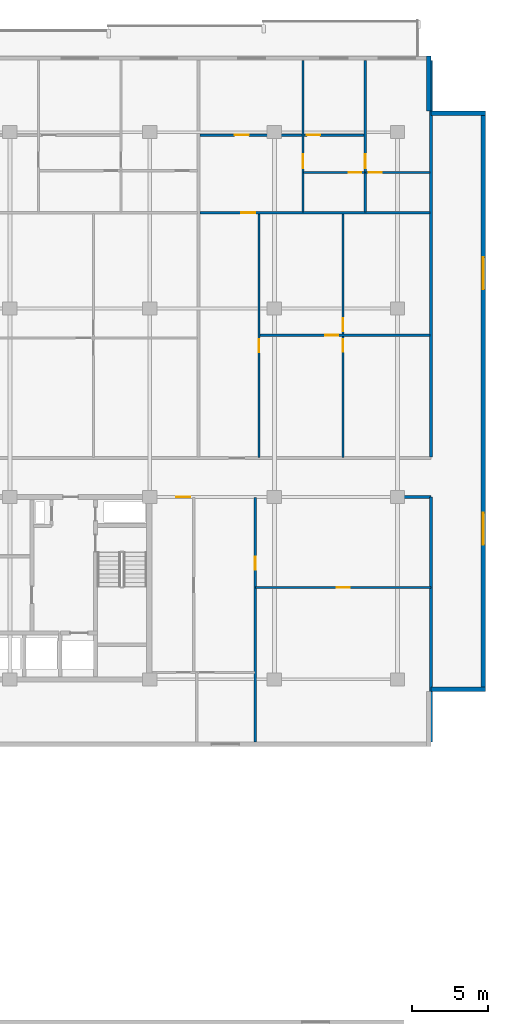
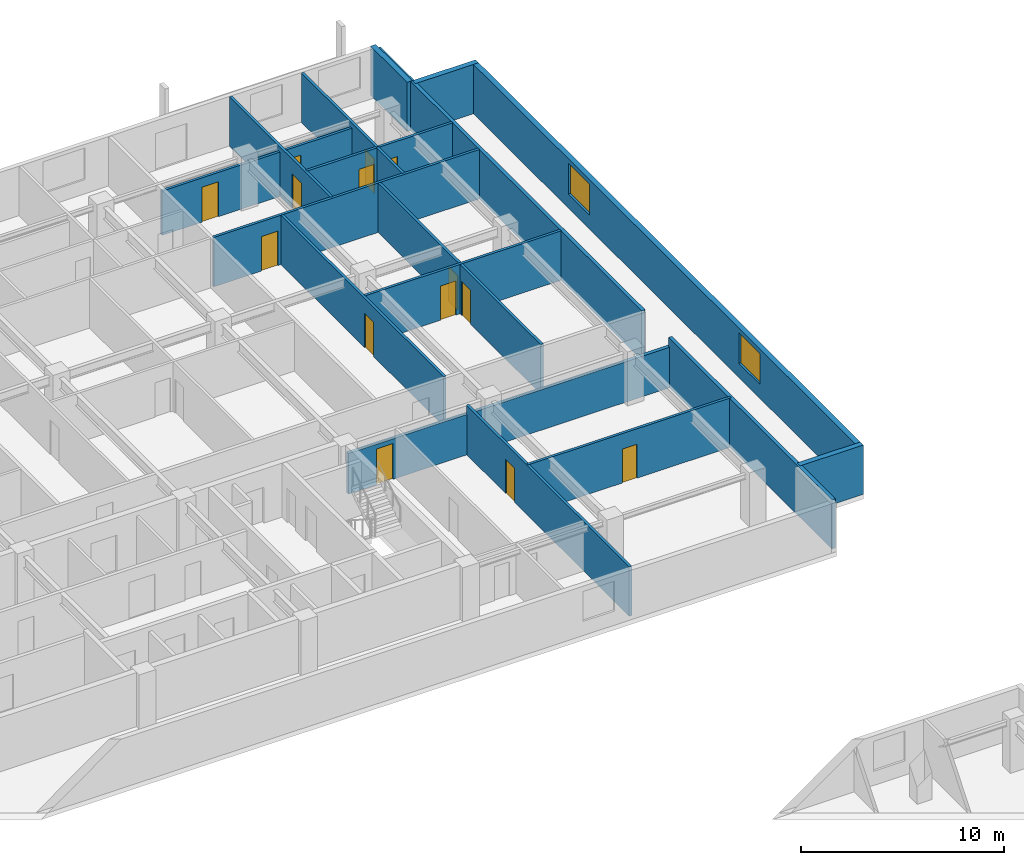
# One storey, part 15 of 21: 18 walls, 14 doors, 2 windows, 16 openings.
"""IFC4 building model written with IfcOpenShell, lengths in metres."""

import ifcopenshell
import ifcopenshell.guid

model = None  # the IFC model being written
_history = None  # IfcOwnerHistory: only IFC2X3 demands one
_inside = {}  # id of a spatial element -> (the spatial element, [elements in it])
_under = {}  # id of a project, library or spatial element -> (it, [spatial elements below it])
_declared = {}  # id of a project -> (the project, [libraries it declares])
_typed = {}  # id of a type object -> (the type object, [elements of that type])
_made_of = {}  # id of a material, layer set ... -> (it, [elements and type objects made of it])


def new_model(schema):
    """Start an empty IFC model of exactly this schema.

    Asked for "IFC4X3", IfcOpenShell would pick the latest addendum, in which some entities
    have other attributes; the version numbers below select the first issue.
    IFC2X3 requires an IfcOwnerHistory on every rooted entity: one is made here for all.
    """
    global model, _history
    if schema == "IFC4X3":
        model = ifcopenshell.file(schema_version=(4, 3, 0, 0))
    else:
        model = ifcopenshell.file(schema=schema)
    _inside.clear()
    _under.clear()
    _declared.clear()
    _typed.clear()
    _made_of.clear()
    _history = None
    if model.schema == "IFC2X3":
        org = make("IfcOrganization", Name="unknown")
        user = make(
            "IfcPersonAndOrganization",
            ThePerson=make("IfcPerson", FamilyName="unknown"),
            TheOrganization=org,
        )
        app = make(
            "IfcApplication",
            ApplicationDeveloper=org,
            Version="unknown",
            ApplicationFullName="unknown",
            ApplicationIdentifier="unknown",
        )
        _history = make(
            "IfcOwnerHistory",
            OwningUser=user,
            OwningApplication=app,
            ChangeAction="ADDED",
            CreationDate=0,
        )
    return model


def make(cls, **values):
    """One entity of the class cls with the attributes given. An attribute that is None is left unset."""
    return model.create_entity(
        cls, **{name: value for name, value in values.items() if value is not None}
    )


def rooted(cls, **values):
    """An entity with a GlobalId (a new one), such as an element, a storey or a relation."""
    return make(cls, GlobalId=ifcopenshell.guid.new(), OwnerHistory=_history, **values)


def si_unit(unit_type, name, prefix=None):
    """IfcSIUnit, for example si_unit("LENGTHUNIT", "METRE", prefix="MILLI")."""
    return make("IfcSIUnit", UnitType=unit_type, Prefix=prefix, Name=name)


def assignment(units):
    """IfcUnitAssignment: the units of a project."""
    return None if units is None else make("IfcUnitAssignment", Units=units)


def point(xyz):
    """IfcCartesianPoint."""
    return None if xyz is None else make("IfcCartesianPoint", Coordinates=xyz)


def direction(xyz):
    """IfcDirection."""
    return None if xyz is None else make("IfcDirection", DirectionRatios=xyz)


def frame(location, z_axis=None, x_axis=None):
    """IfcAxis2Placement3D, a coordinate frame: its origin and axes. An axis left out is left unset."""
    return make(
        "IfcAxis2Placement3D",
        Location=point(location),
        Axis=direction(z_axis),
        RefDirection=direction(x_axis),
    )


def frame_2d(location, x_axis=None):
    """IfcAxis2Placement2D, a coordinate frame in the plane: its origin and x axis."""
    return make(
        "IfcAxis2Placement2D", Location=point(location), RefDirection=direction(x_axis)
    )


def origin():
    """The frame at (0, 0, 0) with its axes left unset."""
    return frame((0.0, 0.0, 0.0))


def place(relative_to, where):
    """IfcLocalPlacement: puts the frame where relative to a parent placement (None: the world)."""
    return make(
        "IfcLocalPlacement", PlacementRelTo=relative_to, RelativePlacement=where
    )


def context(
    kind, dimensions, precision=None, world=None, true_north=None, identifier=None
):
    """IfcGeometricRepresentationContext, for example the 3D "Model" context."""
    return make(
        "IfcGeometricRepresentationContext",
        ContextIdentifier=identifier,
        ContextType=kind,
        CoordinateSpaceDimension=dimensions,
        Precision=precision,
        WorldCoordinateSystem=world,
        TrueNorth=true_north,
    )


def subcontext(parent, identifier, kind, view, scale=None):
    """IfcGeometricRepresentationSubContext, for example "Body" below "Model"."""
    return make(
        "IfcGeometricRepresentationSubContext",
        ContextIdentifier=identifier,
        ContextType=kind,
        ParentContext=parent,
        TargetScale=scale,
        TargetView=view,
    )


def project(units=None, contexts=None):
    """IfcProject with its units and contexts."""
    return rooted(
        "IfcProject",
        Name="project",
        RepresentationContexts=contexts,
        UnitsInContext=assignment(units),
    )


def spatial(cls, under=None, at=None, **own):
    """A site, building, storey or space (cls), placed at a placement, below another one or the project."""
    s = rooted(cls, ObjectPlacement=at, **own)
    if under is not None:
        _under.setdefault(under.id(), (under, []))[1].append(s)
    return s


def profile(cls, at=None, kind="AREA", **sizes):
    """A parametric profile (cls). Its sizes go by their IFC names, for example OverallWidth=200.0."""
    return make(cls, ProfileType=kind, Position=at, **sizes)


def rectangle(**sizes):
    """IfcRectangleProfileDef."""
    return profile("IfcRectangleProfileDef", **sizes)


def extrude(swept, where, along, depth):
    """IfcExtrudedAreaSolid: the profile swept, set in the frame where, extruded along a direction by depth."""
    return make(
        "IfcExtrudedAreaSolid",
        SweptArea=swept,
        Position=where,
        ExtrudedDirection=direction(along),
        Depth=depth,
    )


def shape(context_of_items, identifier, shape_type, items):
    """IfcShapeRepresentation: the items that make up one representation, for example the "Body"."""
    return make(
        "IfcShapeRepresentation",
        ContextOfItems=context_of_items,
        RepresentationIdentifier=identifier,
        RepresentationType=shape_type,
        Items=items,
    )


def material(Name=None, Category=None):
    """IfcMaterial."""
    return make("IfcMaterial", Name=Name, Category=Category)


def layer(
    of_material, thickness, ventilated=None, Name=None, Category=None, Priority=None
):
    """IfcMaterialLayer: one layer of a wall or slab, of a material (None: an air gap)."""
    return make(
        "IfcMaterialLayer",
        Material=of_material,
        LayerThickness=thickness,
        IsVentilated=ventilated,
        Name=Name,
        Category=Category,
        Priority=Priority,
    )


def layer_set(layers, Name=None):
    """IfcMaterialLayerSet."""
    return make("IfcMaterialLayerSet", MaterialLayers=layers, LayerSetName=Name)


def made_of(thing, what):
    """Note that an element or type object is made of a material, layer set ...; save() writes the relation."""
    if what is not None:
        _made_of.setdefault(what.id(), (what, []))[1].append(thing)
    return thing


def type_object(cls, material=None, **own):
    """A type object (cls), such as IfcWallType, which elements share."""
    return made_of(rooted(cls, **own), material)


def element(
    cls,
    number,
    at=None,
    inside=None,
    cuts=None,
    type_object=None,
    material=None,
    context=None,
    identifier="Body",
    shape_type=None,
    held_by="IfcProductDefinitionShape",
    body=None,
    shapes=None,
    **own,
):
    """One element of the class cls, such as IfcWall. Its Tag is "e" and its number.

    at: its placement. inside: the storey or other place that contains it. cuts: it is an
    opening in that element (IfcRelVoidsElement). A single representation is given by context,
    identifier, shape_type and body (its items); several are given by shapes. held_by: the class
    of the entity that holds the representations. save() writes the other relations.
    """
    e = rooted(cls, Tag="e%d" % number, ObjectPlacement=at, **own)
    if body is not None:
        shapes = [shape(context, identifier, shape_type, body)]
    if shapes is not None:
        e.Representation = make(held_by, Representations=shapes)
    if inside is not None:
        _inside.setdefault(inside.id(), (inside, []))[1].append(e)
    if cuts is not None:
        rooted(
            "IfcRelVoidsElement", RelatingBuildingElement=cuts, RelatedOpeningElement=e
        )
    if type_object is not None:
        _typed.setdefault(type_object.id(), (type_object, []))[1].append(e)
    return made_of(e, material)


def fill(opening, filler):
    """IfcRelFillsElement: the door or window that sits in an opening."""
    return rooted(
        "IfcRelFillsElement",
        RelatingOpeningElement=opening,
        RelatedBuildingElement=filler,
    )


def aggregate(whole, parts):
    """IfcRelAggregates: a whole, such as a stair, and the parts it consists of."""
    return rooted("IfcRelAggregates", RelatingObject=whole, RelatedObjects=parts)


def save(model, path):
    """Write the relations noted so far, then the file.

    IfcRelAggregates (storeys below a building ...), IfcRelContainedInSpatialStructure (elements
    in a storey), IfcRelDefinesByType, IfcRelAssociatesMaterial and IfcRelDeclares: one each for
    every whole, place, type object, material and project.
    """
    for whole, parts in _under.values():
        aggregate(whole, parts)
    for where, things in _inside.values():
        rooted(
            "IfcRelContainedInSpatialStructure",
            RelatedElements=things,
            RelatingStructure=where,
        )
    for kind, things in _typed.values():
        rooted("IfcRelDefinesByType", RelatedObjects=things, RelatingType=kind)
    for what, things in _made_of.values():
        rooted("IfcRelAssociatesMaterial", RelatedObjects=things, RelatingMaterial=what)
    for by, libraries in _declared.values():
        rooted("IfcRelDeclares", RelatingContext=by, RelatedDefinitions=libraries)
    model.write(path)


model = new_model("IFC4")

# Units and contexts
model_context = context("Model", 3, precision=1e-05, world=origin(), true_north=direction((0.0, 1.0)))
body_context = subcontext(model_context, "Body", "Model", "MODEL_VIEW")
ifc_project = project(units=[si_unit("LENGTHUNIT", "METRE"), si_unit("AREAUNIT", "SQUARE_METRE"), si_unit("VOLUMEUNIT", "CUBIC_METRE"), si_unit("PLANEANGLEUNIT", "RADIAN"), si_unit("MASSUNIT", "GRAM", prefix="KILO")], contexts=[model_context])

# Site, building, storey
site_placement = place(None, origin())
site = spatial("IfcSite", under=ifc_project, at=site_placement, CompositionType="ELEMENT")
building_placement = place(site_placement, origin())
building = spatial("IfcBuilding", under=site, at=building_placement, Name="Korimba Cascade Residences", CompositionType="ELEMENT")
storey_placement = place(building_placement, frame((0.0, 0.0, 116.550048828125)))
storey = spatial("IfcBuildingStorey", under=building, at=storey_placement, Name="L33", CompositionType="ELEMENT", Elevation=116.550048828125)

# Wall
ifc_material_1 = material(Name="Precast concrete C40/50", Category="concrete")
ifc_layer_1 = layer(ifc_material_1, 0.300048828125)
ifc_layer_set_1 = layer_set([ifc_layer_1], Name="Precast concrete C40/50")
wall_type_1 = type_object("IfcWallType", Name="EW-STONE-300", PredefinedType="STANDARD", material=ifc_layer_set_1)
wall_1_placement = place(storey_placement, frame((130.60009765625, 54.550048828125, 0.0), z_axis=(0.0, 0.0, 1.0), x_axis=(1.0, 0.0, 0.0)))
element("IfcWall", 1, at=wall_1_placement, inside=storey, type_object=wall_type_1, Name="L33 T1 Perimeter Stone Wall E02", PredefinedType="STANDARD", context=body_context, shape_type="SweptSolid", body=[
    extrude(rectangle(XDim=3.599853515625, YDim=0.300048828125, at=frame_2d((1.7998046875, 0.0))), origin(), (0.0, 0.0, 1.0), 2.969970703125),
])

# Wall, openings, windows
wall_2_placement = place(storey_placement, frame((134.050048828125, 54.39990234375, 0.0), z_axis=(0.0, 0.0, 1.0), x_axis=(0.0, 1.0, 0.0)))
wall_2 = element("IfcWall", 2, at=wall_2_placement, inside=storey, type_object=wall_type_1, Name="L33 T1 Perimeter Stone Wall E03", PredefinedType="STANDARD", context=body_context, shape_type="SweptSolid", body=[
    extrude(rectangle(XDim=38.2001953125, YDim=0.300048828125, at=frame_2d((19.10009765625, 0.0))), origin(), (0.0, 0.0, 1.0), 2.969970703125),
])
opening_1_placement = place(wall_2_placement, frame((9.64599609375, 0.0, 0.85009765625)))
opening_1 = element("IfcOpeningElement", 3, at=opening_1_placement, cuts=wall_2, Name="Opening W-03", PredefinedType="OPENING", context=body_context, shape_type="SweptSolid", body=[
    extrude(rectangle(XDim=2.10009765625, YDim=1.85009765625, at=frame_2d((1.050048828125, 0.925048828125))), frame((0.0, 0.16015625, 0.0), z_axis=(0.0, -1.0, 0.0), x_axis=(1.0, 0.0, 0.0)), (0.0, 0.0, 1.0), 0.320068359375),
])
opening_2_placement = place(wall_2_placement, frame((26.4541015625, 0.0, 0.85009765625)))
opening_2 = element("IfcOpeningElement", 4, at=opening_2_placement, cuts=wall_2, Name="Opening W-03", PredefinedType="OPENING", context=body_context, shape_type="SweptSolid", body=[
    extrude(rectangle(XDim=2.10009765625, YDim=1.85009765625, at=frame_2d((1.050048828125, 0.925048828125))), frame((0.0, 0.16015625, 0.0), z_axis=(0.0, -1.0, 0.0), x_axis=(1.0, 0.0, 0.0)), (0.0, 0.0, 1.0), 0.320068359375),
])
ifc_material_2 = material(Name="Double-Glazed Aluminium Window", Category="aluminium")
window_type = type_object("IfcWindowType", Name="WIN-CRN-2100", PartitioningType="DOUBLE_PANEL_HORIZONTAL", PredefinedType="WINDOW", material=ifc_material_2)
window_1_placement = place(opening_1_placement, origin())
window_1 = element("IfcWindow", 5, at=window_1_placement, inside=storey, type_object=window_type, Name="L33 T1 End View Window 3.1", OverallHeight=1.85009765625, OverallWidth=2.10009765625, PartitioningType="DOUBLE_PANEL_HORIZONTAL", PredefinedType="WINDOW", context=body_context, shape_type="SweptSolid", body=[
    extrude(rectangle(XDim=2.10009765625, YDim=1.85009765625, at=frame_2d((1.050048828125, 0.925048828125))), frame((0.0, 0.030029296875, 0.0), z_axis=(0.0, -1.0, 0.0), x_axis=(1.0, 0.0, 0.0)), (0.0, 0.0, 1.0), 0.06005859375),
])
fill(opening_1, window_1)
window_2_placement = place(opening_2_placement, origin())
window_2 = element("IfcWindow", 6, at=window_2_placement, inside=storey, type_object=window_type, Name="L33 T1 End View Window 3.2", OverallHeight=1.85009765625, OverallWidth=2.10009765625, PartitioningType="DOUBLE_PANEL_HORIZONTAL", PredefinedType="WINDOW", context=body_context, shape_type="SweptSolid", body=[
    extrude(rectangle(XDim=2.10009765625, YDim=1.85009765625, at=frame_2d((1.050048828125, 0.925048828125))), frame((0.0, 0.030029296875, 0.0), z_axis=(0.0, -1.0, 0.0), x_axis=(1.0, 0.0, 0.0)), (0.0, 0.0, 1.0), 0.06005859375),
])
fill(opening_2, window_2)

# Walls
for number, where, z_axis, x_axis, name in (
    (7, (134.199951171875, 92.449951171875, 0.0), (0.0, 0.0, 1.0), (-1.0, 0.0, 0.0), "L33 T1 Perimeter Stone Wall E04"),
    (8, (130.449951171875, 92.60009765625, 0.0), (0.0, 0.0, 1.0), (0.0, 1.0, 0.0), "L33 T1 Perimeter Stone Wall E05"),
):
    element("IfcWall", number, at=place(storey_placement, frame(where, z_axis=z_axis, x_axis=x_axis)), inside=storey, type_object=wall_type_1, Name=name, PredefinedType="STANDARD", context=body_context, shape_type="SweptSolid", body=[
        extrude(rectangle(XDim=3.599853515625, YDim=0.300048828125, at=frame_2d((1.7998046875, 0.0))), origin(), (0.0, 0.0, 1.0), 2.969970703125),
    ])
ifc_layer_2 = layer(ifc_material_1, 0.199951171875)
ifc_layer_set_2 = layer_set([ifc_layer_2], Name="Precast concrete C40/50")
wall_type_2 = type_object("IfcWallType", Name="WAL-IT-200", PredefinedType="PARTITIONING", material=ifc_layer_set_2)
wall_3_placement = place(storey_placement, frame((130.60009765625, 51.10009765625, 0.0), z_axis=(0.0, 0.0, 1.0), x_axis=(0.0, 1.0, 0.0)))
element("IfcWall", 9, at=wall_3_placement, inside=storey, type_object=wall_type_2, Name="L33 Partition Wall WAL-L33-T1-FE-WR", PredefinedType="PARTITIONING", context=body_context, shape_type="SweptSolid", body=[
    extrude(rectangle(XDim=16.099853515625, YDim=0.199951171875, at=frame_2d((8.0498046875, 0.0))), origin(), (0.0, 0.0, 1.0), 2.969970703125),
])

# Wall, opening, door
wall_4_placement = place(storey_placement, frame((112.25, 67.199951171875, 0.0), z_axis=(0.0, 0.0, 1.0), x_axis=(1.0, 0.0, 0.0)))
wall_4 = element("IfcWall", 10, at=wall_4_placement, inside=storey, type_object=wall_type_2, Name="L33 Partition Wall WAL-L33-T1-FE-N", PredefinedType="PARTITIONING", context=body_context, shape_type="SweptSolid", body=[
    extrude(rectangle(XDim=18.35009765625, YDim=0.199951171875, at=frame_2d((9.175048828125, 0.0))), origin(), (0.0, 0.0, 1.0), 2.433349609375),
])
opening_3_placement = place(wall_4_placement, frame((1.580078125, 0.0, 0.0)))
opening_3 = element("IfcOpeningElement", 11, at=opening_3_placement, cuts=wall_4, Name="Opening D-UN1", PredefinedType="OPENING", context=body_context, shape_type="SweptSolid", body=[
    extrude(rectangle(XDim=0.949951171875, YDim=2.14990234375, at=frame_2d((0.47509765625, 1.074951171875))), frame((0.0, 0.10986328125, 0.0), z_axis=(0.0, -1.0, 0.0), x_axis=(1.0, 0.0, 0.0)), (0.0, 0.0, 1.0), 0.219970703125),
])
ifc_material_3 = material(Name="Fire-Rated Hardwood Apartment Entrance Door", Category="wood")
door_type_1 = type_object("IfcDoorType", Name="DR-FD60-950", OperationType="NOTDEFINED", PredefinedType="DOOR", material=ifc_material_3)
door_1_placement = place(opening_3_placement, origin())
door_1 = element("IfcDoor", 12, at=door_1_placement, inside=storey, type_object=door_type_1, Name="L33-T1-FE Entrance Door", OperationType="SINGLE_SWING_LEFT", OverallHeight=2.14990234375, OverallWidth=0.949951171875, PredefinedType="DOOR", context=body_context, shape_type="SweptSolid", body=[
    extrude(rectangle(XDim=0.949951171875, YDim=2.14990234375, at=frame_2d((0.47509765625, 1.074951171875))), frame((0.0, 0.02490234375, 0.0), z_axis=(0.0, -1.0, 0.0), x_axis=(1.0, 0.0, 0.0)), (0.0, 0.0, 1.0), 0.050048828125),
])
fill(opening_3, door_1)

# Wall
wall_5_placement = place(storey_placement, frame((130.60009765625, 69.830078125, 0.0), z_axis=(0.0, 0.0, 1.0), x_axis=(0.0, 1.0, 0.0)))
element("IfcWall", 13, at=wall_5_placement, inside=storey, type_object=wall_type_2, Name="L33 Partition Wall WAL-L33-T1-BNDWR", PredefinedType="PARTITIONING", context=body_context, shape_type="SweptSolid", body=[
    extrude(rectangle(XDim=26.06982421875, YDim=0.199951171875, at=frame_2d((13.034912109375, 0.0))), origin(), (0.0, 0.0, 1.0), 2.969970703125),
])

# Wall, opening, door
ifc_material_4 = material(Name="Insulated Acoustic Stud Partition", Category="gypsum")
ifc_layer_3 = layer(ifc_material_4, 0.14990234375)
ifc_layer_set_3 = layer_set([ifc_layer_3], Name="Insulated Acoustic Stud Partition")
wall_type_3 = type_object("IfcWallType", Name="WAL-PART-150", PredefinedType="PARTITIONING", material=ifc_layer_set_3)
wall_6_placement = place(storey_placement, frame((119.050048828125, 61.25, 0.0), z_axis=(0.0, 0.0, 1.0), x_axis=(1.0, 0.0, 0.0)))
wall_6 = element("IfcWall", 14, at=wall_6_placement, inside=storey, type_object=wall_type_3, Name="L33 Partition Wall WAL-L33-T1-FE-STH", PredefinedType="PARTITIONING", context=body_context, shape_type="SweptSolid", body=[
    extrude(rectangle(XDim=11.550048828125, YDim=0.14990234375, at=frame_2d((5.77490234375, 0.0))), origin(), (0.0, 0.0, 1.0), 2.969970703125),
])
opening_4_placement = place(wall_6_placement, frame((5.35498046875, 0.0, 0.0)))
opening_4 = element("IfcOpeningElement", 15, at=opening_4_placement, cuts=wall_6, Name="Opening D-BT1", PredefinedType="OPENING", context=body_context, shape_type="SweptSolid", body=[
    extrude(rectangle(XDim=0.840087890625, YDim=2.0400390625, at=frame_2d((0.419921875, 1.02001953125))), frame((0.0, 0.0849609375, 0.0), z_axis=(0.0, -1.0, 0.0), x_axis=(1.0, 0.0, 0.0)), (0.0, 0.0, 1.0), 0.169921875),
])
ifc_material_5 = material(Name="Moisture-Resistant Bathroom Timber Door", Category="wood")
door_type_2 = type_object("IfcDoorType", Name="DR-INT-850", OperationType="NOTDEFINED", PredefinedType="DOOR", material=ifc_material_5)
door_2_placement = place(opening_4_placement, origin())
door_2 = element("IfcDoor", 16, at=door_2_placement, inside=storey, type_object=door_type_2, Name="L33-T1-FE Dressing Store Door", OperationType="SINGLE_SWING_RIGHT", OverallHeight=2.0400390625, OverallWidth=0.840087890625, PredefinedType="DOOR", context=body_context, shape_type="SweptSolid", body=[
    extrude(rectangle(XDim=0.840087890625, YDim=2.0400390625, at=frame_2d((0.419921875, 1.02001953125))), frame((0.0, 0.02490234375, 0.0), z_axis=(0.0, -1.0, 0.0), x_axis=(1.0, 0.0, 0.0)), (0.0, 0.0, 1.0), 0.050048828125),
])
fill(opening_4, door_2)

wall_7_placement = place(storey_placement, frame((119.050048828125, 51.10009765625, 0.0), z_axis=(0.0, 0.0, 1.0), x_axis=(0.0, 1.0, 0.0)))
wall_7 = element("IfcWall", 17, at=wall_7_placement, inside=storey, type_object=wall_type_3, Name="L33 Partition Wall WAL-L33-T1-FE-STV", PredefinedType="PARTITIONING", context=body_context, shape_type="SweptSolid", body=[
    extrude(rectangle(XDim=16.0498046875, YDim=0.14990234375, at=frame_2d((8.02490234375, 0.0))), origin(), (0.0, 0.0, 1.0), 2.969970703125),
])
opening_5_placement = place(wall_7_placement, frame((11.300048828125, 0.0, 0.0)))
opening_5 = element("IfcOpeningElement", 18, at=opening_5_placement, cuts=wall_7, Name="Opening D-IN2", PredefinedType="OPENING", context=body_context, shape_type="SweptSolid", body=[
    extrude(rectangle(XDim=0.8798828125, YDim=2.06005859375, at=frame_2d((0.43994140625, 1.030029296875))), frame((0.0, 0.0849609375, 0.0), z_axis=(0.0, -1.0, 0.0), x_axis=(1.0, 0.0, 0.0)), (0.0, 0.0, 1.0), 0.169921875),
])
ifc_material_6 = material(Name="Acoustic Timber Bedroom Door", Category="wood")
door_type_3 = type_object("IfcDoorType", Name="DR-INT-880", OperationType="NOTDEFINED", PredefinedType="DOOR", material=ifc_material_6)
door_3_placement = place(opening_5_placement, origin())
door_3 = element("IfcDoor", 19, at=door_3_placement, inside=storey, type_object=door_type_3, Name="L33-T1-FE Study Door", OperationType="SINGLE_SWING_LEFT", OverallHeight=2.06005859375, OverallWidth=0.8798828125, PredefinedType="DOOR", context=body_context, shape_type="SweptSolid", body=[
    extrude(rectangle(XDim=0.8798828125, YDim=2.06005859375, at=frame_2d((0.43994140625, 1.030029296875))), frame((0.0, 0.02490234375, 0.0), z_axis=(0.0, -1.0, 0.0), x_axis=(1.0, 0.0, 0.0)), (0.0, 0.0, 1.0), 0.050048828125),
])
fill(opening_5, door_3)

# Wall, openings, doors
wall_8_placement = place(storey_placement, frame((124.8154296875, 69.81005859375, 0.0), z_axis=(0.0, 0.0, 1.0), x_axis=(0.0, 1.0, 0.0)))
wall_8 = element("IfcWall", 20, at=wall_8_placement, inside=storey, type_object=wall_type_3, Name="L33 Partition Wall WAL-L33-T1-U04-FMV", PredefinedType="PARTITIONING", context=body_context, shape_type="SweptSolid", body=[
    extrude(rectangle(XDim=16.050048828125, YDim=0.14990234375, at=frame_2d((8.02490234375, 0.0))), origin(), (0.0, 0.0, 1.0), 2.969970703125),
])
opening_6_placement = place(wall_8_placement, frame((6.93505859375, 0.0, 0.0)))
opening_6 = element("IfcOpeningElement", 21, at=opening_6_placement, cuts=wall_8, Name="Opening D-BT1", PredefinedType="OPENING", context=body_context, shape_type="SweptSolid", body=[
    extrude(rectangle(XDim=0.840087890625, YDim=2.0400390625, at=frame_2d((0.419921875, 1.02001953125))), frame((0.0, 0.0849609375, 0.0), z_axis=(0.0, -1.0, 0.0), x_axis=(1.0, 0.0, 0.0)), (0.0, 0.0, 1.0), 0.169921875),
])
opening_7_placement = place(wall_8_placement, frame((8.27490234375, 0.0, 0.0)))
opening_7 = element("IfcOpeningElement", 22, at=opening_7_placement, cuts=wall_8, Name="Opening D-IN2", PredefinedType="OPENING", context=body_context, shape_type="SweptSolid", body=[
    extrude(rectangle(XDim=0.8798828125, YDim=2.06005859375, at=frame_2d((0.43994140625, 1.030029296875))), frame((0.0, 0.0849609375, 0.0), z_axis=(0.0, -1.0, 0.0), x_axis=(1.0, 0.0, 0.0)), (0.0, 0.0, 1.0), 0.169921875),
])
door_4_placement = place(opening_6_placement, origin())
door_4 = element("IfcDoor", 23, at=door_4_placement, inside=storey, type_object=door_type_2, Name="L33-T1-U04 Wardrobe Door", OperationType="SINGLE_SWING_LEFT", OverallHeight=2.0400390625, OverallWidth=0.840087890625, PredefinedType="DOOR", context=body_context, shape_type="SweptSolid", body=[
    extrude(rectangle(XDim=0.840087890625, YDim=2.0400390625, at=frame_2d((0.419921875, 1.02001953125))), frame((0.0, 0.02490234375, 0.0), z_axis=(0.0, -1.0, 0.0), x_axis=(1.0, 0.0, 0.0)), (0.0, 0.0, 1.0), 0.050048828125),
])
fill(opening_6, door_4)
door_5_placement = place(opening_7_placement, origin())
door_5 = element("IfcDoor", 24, at=door_5_placement, inside=storey, type_object=door_type_3, Name="L33-T1-U04 Music Lounge Door", OperationType="SINGLE_SWING_RIGHT", OverallHeight=2.06005859375, OverallWidth=0.8798828125, PredefinedType="DOOR", context=body_context, shape_type="SweptSolid", body=[
    extrude(rectangle(XDim=0.8798828125, YDim=2.06005859375, at=frame_2d((0.43994140625, 1.030029296875))), frame((0.0, 0.02490234375, 0.0), z_axis=(0.0, -1.0, 0.0), x_axis=(1.0, 0.0, 0.0)), (0.0, 0.0, 1.0), 0.050048828125),
])
fill(opening_7, door_5)

# Wall, opening, door
wall_9_placement = place(storey_placement, frame((119.35107421875, 77.8349609375, 0.0), z_axis=(0.0, 0.0, 1.0), x_axis=(1.0, 0.0, 0.0)))
wall_9 = element("IfcWall", 25, at=wall_9_placement, inside=storey, type_object=wall_type_3, Name="L33 Partition Wall WAL-L33-T1-U04-FMH", PredefinedType="PARTITIONING", context=body_context, shape_type="SweptSolid", body=[
    extrude(rectangle(XDim=11.1689453125, YDim=0.14990234375, at=frame_2d((5.58447265625, 0.0))), origin(), (0.0, 0.0, 1.0), 2.969970703125),
])
opening_8_placement = place(wall_9_placement, frame((4.2841796875, 0.0, 0.0)))
opening_8 = element("IfcOpeningElement", 26, at=opening_8_placement, cuts=wall_9, Name="Opening D-IN2", PredefinedType="OPENING", context=body_context, shape_type="SweptSolid", body=[
    extrude(rectangle(XDim=0.8798828125, YDim=2.06005859375, at=frame_2d((0.43994140625, 1.030029296875))), frame((0.0, 0.0849609375, 0.0), z_axis=(0.0, -1.0, 0.0), x_axis=(1.0, 0.0, 0.0)), (0.0, 0.0, 1.0), 0.169921875),
])
door_6_placement = place(opening_8_placement, origin())
door_6 = element("IfcDoor", 27, at=door_6_placement, inside=storey, type_object=door_type_3, Name="L33-T1-U04 Library Salon Door", OperationType="SINGLE_SWING_LEFT", OverallHeight=2.06005859375, OverallWidth=0.8798828125, PredefinedType="DOOR", context=body_context, shape_type="SweptSolid", body=[
    extrude(rectangle(XDim=0.8798828125, YDim=2.06005859375, at=frame_2d((0.43994140625, 1.030029296875))), frame((0.0, 0.02490234375, 0.0), z_axis=(0.0, -1.0, 0.0), x_axis=(1.0, 0.0, 0.0)), (0.0, 0.0, 1.0), 0.050048828125),
])
fill(opening_8, door_6)

wall_10_placement = place(storey_placement, frame((119.291015625, 69.81005859375, 0.0), z_axis=(0.0, 0.0, 1.0), x_axis=(0.0, 1.0, 0.0)))
wall_10 = element("IfcWall", 28, at=wall_10_placement, inside=storey, type_object=wall_type_3, Name="L33 Partition Wall WAL-L33-T1-U04-FV", PredefinedType="PARTITIONING", context=body_context, shape_type="SweptSolid", body=[
    extrude(rectangle(XDim=16.050048828125, YDim=0.14990234375, at=frame_2d((8.02490234375, 0.0))), origin(), (0.0, 0.0, 1.0), 2.969970703125),
])
opening_9_placement = place(wall_10_placement, frame((6.89501953125, 0.0, 0.0)))
opening_9 = element("IfcOpeningElement", 29, at=opening_9_placement, cuts=wall_10, Name="Opening D-IN2", PredefinedType="OPENING", context=body_context, shape_type="SweptSolid", body=[
    extrude(rectangle(XDim=0.8798828125, YDim=2.06005859375, at=frame_2d((0.43994140625, 1.030029296875))), frame((0.0, 0.0849609375, 0.0), z_axis=(0.0, -1.0, 0.0), x_axis=(1.0, 0.0, 0.0)), (0.0, 0.0, 1.0), 0.169921875),
])
door_7_placement = place(opening_9_placement, origin())
door_7 = element("IfcDoor", 30, at=door_7_placement, inside=storey, type_object=door_type_3, Name="L33-T1-U04 Media Lounge Door", OperationType="SINGLE_SWING_RIGHT", OverallHeight=2.06005859375, OverallWidth=0.8798828125, PredefinedType="DOOR", context=body_context, shape_type="SweptSolid", body=[
    extrude(rectangle(XDim=0.8798828125, YDim=2.06005859375, at=frame_2d((0.43994140625, 1.030029296875))), frame((0.0, 0.02490234375, 0.0), z_axis=(0.0, -1.0, 0.0), x_axis=(1.0, 0.0, 0.0)), (0.0, 0.0, 1.0), 0.050048828125),
])
fill(opening_9, door_7)

wall_11_placement = place(storey_placement, frame((122.179931640625, 85.93994140625, 0.0), z_axis=(0.0, 0.0, 1.0), x_axis=(0.0, 1.0, 0.0)))
wall_11 = element("IfcWall", 31, at=wall_11_placement, inside=storey, type_object=wall_type_3, Name="L33 Partition Wall WAL-L33-T1-U04-V1", PredefinedType="PARTITIONING", context=body_context, shape_type="SweptSolid", body=[
    extrude(rectangle(XDim=9.9599609375, YDim=0.14990234375, at=frame_2d((4.97998046875, 0.0))), origin(), (0.0, 0.0, 1.0), 2.969970703125),
])
opening_10_placement = place(wall_11_placement, frame((2.8798828125, 0.0, 0.0)))
opening_10 = element("IfcOpeningElement", 32, at=opening_10_placement, cuts=wall_11, Name="Opening D-IN1", PredefinedType="OPENING", context=body_context, shape_type="SweptSolid", body=[
    extrude(rectangle(XDim=0.919921875, YDim=2.080078125, at=frame_2d((0.4599609375, 1.0400390625))), frame((0.0, 0.0849609375, 0.0), z_axis=(0.0, -1.0, 0.0), x_axis=(1.0, 0.0, 0.0)), (0.0, 0.0, 1.0), 0.169921875),
])
ifc_material_7 = material(Name="Acoustic Timber Living Door", Category="wood")
door_type_4 = type_object("IfcDoorType", Name="DR-INT-920", OperationType="NOTDEFINED", PredefinedType="DOOR", material=ifc_material_7)
door_8_placement = place(opening_10_placement, origin())
door_8 = element("IfcDoor", 33, at=door_8_placement, inside=storey, type_object=door_type_4, Name="L33-T1-U04 Hallway Door", OperationType="SINGLE_SWING_LEFT", OverallHeight=2.080078125, OverallWidth=0.919921875, PredefinedType="DOOR", context=body_context, shape_type="SweptSolid", body=[
    extrude(rectangle(XDim=0.919921875, YDim=2.080078125, at=frame_2d((0.4599609375, 1.0400390625))), frame((0.0, 0.02490234375, 0.0), z_axis=(0.0, -1.0, 0.0), x_axis=(1.0, 0.0, 0.0)), (0.0, 0.0, 1.0), 0.050048828125),
])
fill(opening_10, door_8)

# Wall
wall_12_placement = place(storey_placement, frame((126.26904296875, 85.93994140625, 0.0), z_axis=(0.0, 0.0, 1.0), x_axis=(0.0, 1.0, 0.0)))
element("IfcWall", 34, at=wall_12_placement, inside=storey, type_object=wall_type_3, Name="L33 Partition Wall WAL-L33-T1-U04-VBATH", PredefinedType="PARTITIONING", context=body_context, shape_type="SweptSolid", body=[
    extrude(rectangle(XDim=2.580078125, YDim=0.14990234375, at=frame_2d((1.2900390625, 0.0))), origin(), (0.0, 0.0, 1.0), 2.969970703125),
])

# Wall, opening, door
wall_13_placement = place(storey_placement, frame((126.26904296875, 88.56005859375, 0.0), z_axis=(0.0, 0.0, 1.0), x_axis=(0.0, 1.0, 0.0)))
wall_13 = element("IfcWall", 35, at=wall_13_placement, inside=storey, type_object=wall_type_3, Name="L33 Partition Wall WAL-L33-T1-U04-V2FULL", PredefinedType="PARTITIONING", context=body_context, shape_type="SweptSolid", body=[
    extrude(rectangle(XDim=7.33984375, YDim=0.14990234375, at=frame_2d((3.669921875, 0.0))), origin(), (0.0, 0.0, 1.0), 2.969970703125),
])
opening_11_placement = place(wall_13_placement, frame((0.260009765625, 0.0, 0.0)))
opening_11 = element("IfcOpeningElement", 36, at=opening_11_placement, cuts=wall_13, Name="Opening D-IN1", PredefinedType="OPENING", context=body_context, shape_type="SweptSolid", body=[
    extrude(rectangle(XDim=0.919921875, YDim=2.080078125, at=frame_2d((0.4599609375, 1.0400390625))), frame((0.0, 0.0849609375, 0.0), z_axis=(0.0, -1.0, 0.0), x_axis=(1.0, 0.0, 0.0)), (0.0, 0.0, 1.0), 0.169921875),
])
door_9_placement = place(opening_11_placement, origin())
door_9 = element("IfcDoor", 37, at=door_9_placement, inside=storey, type_object=door_type_4, Name="L33-T1-U04 Master Bedroom Door", OperationType="SINGLE_SWING_RIGHT", OverallHeight=2.080078125, OverallWidth=0.919921875, PredefinedType="DOOR", context=body_context, shape_type="SweptSolid", body=[
    extrude(rectangle(XDim=0.919921875, YDim=2.080078125, at=frame_2d((0.4599609375, 1.0400390625))), frame((0.0, 0.02490234375, 0.0), z_axis=(0.0, -1.0, 0.0), x_axis=(1.0, 0.0, 0.0)), (0.0, 0.0, 1.0), 0.050048828125),
])
fill(opening_11, door_9)

# Wall, openings, doors
wall_14_placement = place(storey_placement, frame((122.219970703125, 88.5400390625, 0.0), z_axis=(0.0, 0.0, 1.0), x_axis=(1.0, 0.0, 0.0)))
wall_14 = element("IfcWall", 38, at=wall_14_placement, inside=storey, type_object=wall_type_3, Name="L33 Partition Wall WAL-L33-T1-U04-HWALL", PredefinedType="PARTITIONING", context=body_context, shape_type="SweptSolid", body=[
    extrude(rectangle(XDim=8.300048828125, YDim=0.14990234375, at=frame_2d((4.14990234375, 0.0))), origin(), (0.0, 0.0, 1.0), 2.969970703125),
])
opening_12_placement = place(wall_14_placement, frame((2.958984375, 0.0, 0.0)))
opening_12 = element("IfcOpeningElement", 39, at=opening_12_placement, cuts=wall_14, Name="Opening D-BT1", PredefinedType="OPENING", context=body_context, shape_type="SweptSolid", body=[
    extrude(rectangle(XDim=0.840087890625, YDim=2.0400390625, at=frame_2d((0.419921875, 1.02001953125))), frame((0.0, 0.0849609375, 0.0), z_axis=(0.0, -1.0, 0.0), x_axis=(1.0, 0.0, 0.0)), (0.0, 0.0, 1.0), 0.169921875),
])
opening_13_placement = place(wall_14_placement, frame((4.299072265625, 0.0, 0.0)))
opening_13 = element("IfcOpeningElement", 40, at=opening_13_placement, cuts=wall_14, Name="Opening D-BT1", PredefinedType="OPENING", context=body_context, shape_type="SweptSolid", body=[
    extrude(rectangle(XDim=0.840087890625, YDim=2.0400390625, at=frame_2d((0.419921875, 1.02001953125))), frame((0.0, 0.0849609375, 0.0), z_axis=(0.0, -1.0, 0.0), x_axis=(1.0, 0.0, 0.0)), (0.0, 0.0, 1.0), 0.169921875),
])
door_10_placement = place(opening_12_placement, origin())
door_10 = element("IfcDoor", 41, at=door_10_placement, inside=storey, type_object=door_type_2, Name="L33-T1-U04 Family Bathroom Door", OperationType="SINGLE_SWING_LEFT", OverallHeight=2.0400390625, OverallWidth=0.840087890625, PredefinedType="DOOR", context=body_context, shape_type="SweptSolid", body=[
    extrude(rectangle(XDim=0.840087890625, YDim=2.0400390625, at=frame_2d((0.419921875, 1.02001953125))), frame((0.0, 0.02490234375, 0.0), z_axis=(0.0, -1.0, 0.0), x_axis=(1.0, 0.0, 0.0)), (0.0, 0.0, 1.0), 0.050048828125),
])
fill(opening_12, door_10)
door_11_placement = place(opening_13_placement, origin())
door_11 = element("IfcDoor", 42, at=door_11_placement, inside=storey, type_object=door_type_2, Name="L33-T1-U04 En-Suite Door", OperationType="SINGLE_SWING_RIGHT", OverallHeight=2.0400390625, OverallWidth=0.840087890625, PredefinedType="DOOR", context=body_context, shape_type="SweptSolid", body=[
    extrude(rectangle(XDim=0.840087890625, YDim=2.0400390625, at=frame_2d((0.419921875, 1.02001953125))), frame((0.0, 0.02490234375, 0.0), z_axis=(0.0, -1.0, 0.0), x_axis=(1.0, 0.0, 0.0)), (0.0, 0.0, 1.0), 0.050048828125),
])
fill(opening_13, door_11)

# Wall, opening, door
wall_15_placement = place(storey_placement, frame((115.401123046875, 85.89990234375, 0.0), z_axis=(0.0, 0.0, 1.0), x_axis=(1.0, 0.0, 0.0)))
wall_15 = element("IfcWall", 43, at=wall_15_placement, inside=storey, type_object=wall_type_3, Name="L33 Partition Wall WAL-L33-T1-U04-MW", PredefinedType="PARTITIONING", context=body_context, shape_type="SweptSolid", body=[
    extrude(rectangle(XDim=15.118896484375, YDim=0.14990234375, at=frame_2d((7.5595703125, 0.0))), origin(), (0.0, 0.0, 1.0), 2.969970703125),
])
opening_14_placement = place(wall_15_placement, frame((2.719970703125, 0.0, 0.0)))
opening_14 = element("IfcOpeningElement", 44, at=opening_14_placement, cuts=wall_15, Name="Opening D-IN1", PredefinedType="OPENING", context=body_context, shape_type="SweptSolid", body=[
    extrude(rectangle(XDim=0.919921875, YDim=2.080078125, at=frame_2d((0.4599609375, 1.0400390625))), frame((0.0, 0.0849609375, 0.0), z_axis=(0.0, -1.0, 0.0), x_axis=(1.0, 0.0, 0.0)), (0.0, 0.0, 1.0), 0.169921875),
])
door_12_placement = place(opening_14_placement, origin())
door_12 = element("IfcDoor", 45, at=door_12_placement, inside=storey, type_object=door_type_4, Name="L33-T1-U04 Kitchen Door", OperationType="SINGLE_SWING_LEFT", OverallHeight=2.080078125, OverallWidth=0.919921875, PredefinedType="DOOR", context=body_context, shape_type="SweptSolid", body=[
    extrude(rectangle(XDim=0.919921875, YDim=2.080078125, at=frame_2d((0.4599609375, 1.0400390625))), frame((0.0, 0.02490234375, 0.0), z_axis=(0.0, -1.0, 0.0), x_axis=(1.0, 0.0, 0.0)), (0.0, 0.0, 1.0), 0.050048828125),
])
fill(opening_14, door_12)

# Wall, openings, doors
wall_16_placement = place(storey_placement, frame((115.401123046875, 91.0, 0.0), z_axis=(0.0, 0.0, 1.0), x_axis=(1.0, 0.0, 0.0)))
wall_16 = element("IfcWall", 46, at=wall_16_placement, inside=storey, type_object=wall_type_3, Name="L33 Partition Wall WAL-L33-T1-U04-HZ", PredefinedType="PARTITIONING", context=body_context, shape_type="SweptSolid", body=[
    extrude(rectangle(XDim=10.867919921875, YDim=0.14990234375, at=frame_2d((5.43408203125, 0.0))), origin(), (0.0, 0.0, 1.0), 2.663330078125),
])
opening_15_placement = place(wall_16_placement, frame((2.27880859375, 0.0, 0.0)))
opening_15 = element("IfcOpeningElement", 47, at=opening_15_placement, cuts=wall_16, Name="Opening D-IN0", PredefinedType="OPENING", context=body_context, shape_type="SweptSolid", body=[
    extrude(rectangle(XDim=0.93994140625, YDim=2.10009765625, at=frame_2d((0.469970703125, 1.050048828125))), frame((0.0, 0.0849609375, 0.0), z_axis=(0.0, -1.0, 0.0), x_axis=(1.0, 0.0, 0.0)), (0.0, 0.0, 1.0), 0.169921875),
])
opening_16_placement = place(wall_16_placement, frame((7.02880859375, 0.0, 0.0)))
opening_16 = element("IfcOpeningElement", 48, at=opening_16_placement, cuts=wall_16, Name="Opening D-IN2", PredefinedType="OPENING", context=body_context, shape_type="SweptSolid", body=[
    extrude(rectangle(XDim=0.8798828125, YDim=2.06005859375, at=frame_2d((0.43994140625, 1.030029296875))), frame((0.0, 0.0849609375, 0.0), z_axis=(0.0, -1.0, 0.0), x_axis=(1.0, 0.0, 0.0)), (0.0, 0.0, 1.0), 0.169921875),
])
door_13_placement = place(opening_16_placement, origin())
door_13 = element("IfcDoor", 49, at=door_13_placement, inside=storey, type_object=door_type_3, Name="L33-T1-U04 Bedroom 2 Door", OperationType="SINGLE_SWING_LEFT", OverallHeight=2.06005859375, OverallWidth=0.8798828125, PredefinedType="DOOR", context=body_context, shape_type="SweptSolid", body=[
    extrude(rectangle(XDim=0.8798828125, YDim=2.06005859375, at=frame_2d((0.43994140625, 1.030029296875))), frame((0.0, 0.02490234375, 0.0), z_axis=(0.0, -1.0, 0.0), x_axis=(1.0, 0.0, 0.0)), (0.0, 0.0, 1.0), 0.050048828125),
])
fill(opening_16, door_13)
ifc_material_8 = material(Name="Acoustic Timber Living Archway Door", Category="wood")
door_type_5 = type_object("IfcDoorType", Name="DR-INT-950", OperationType="NOTDEFINED", PredefinedType="DOOR", material=ifc_material_8)
door_14_placement = place(opening_15_placement, origin())
door_14 = element("IfcDoor", 50, at=door_14_placement, inside=storey, type_object=door_type_5, Name="L33-T1-U04 Living Room Door", OperationType="SINGLE_SWING_RIGHT", OverallHeight=2.10009765625, OverallWidth=0.93994140625, PredefinedType="DOOR", context=body_context, shape_type="SweptSolid", body=[
    extrude(rectangle(XDim=0.93994140625, YDim=2.10009765625, at=frame_2d((0.469970703125, 1.050048828125))), frame((0.0, 0.02490234375, 0.0), z_axis=(0.0, -1.0, 0.0), x_axis=(1.0, 0.0, 0.0)), (0.0, 0.0, 1.0), 0.050048828125),
])
fill(opening_15, door_14)

save(model, "model.ifc")
